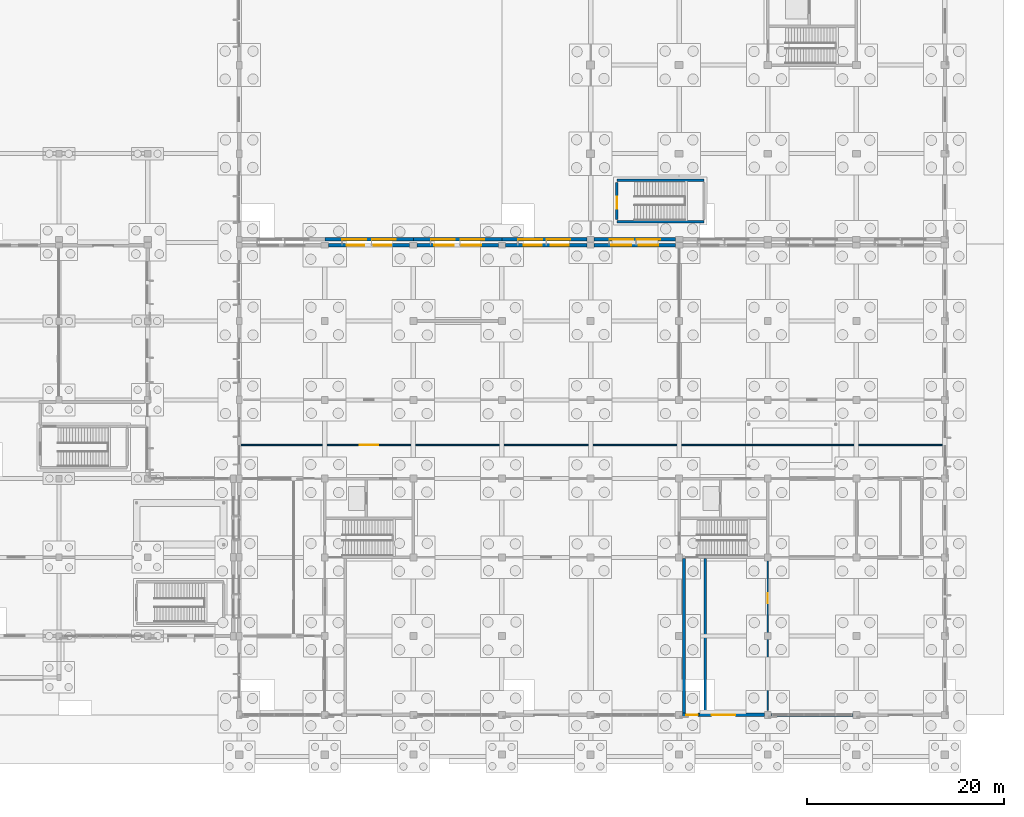
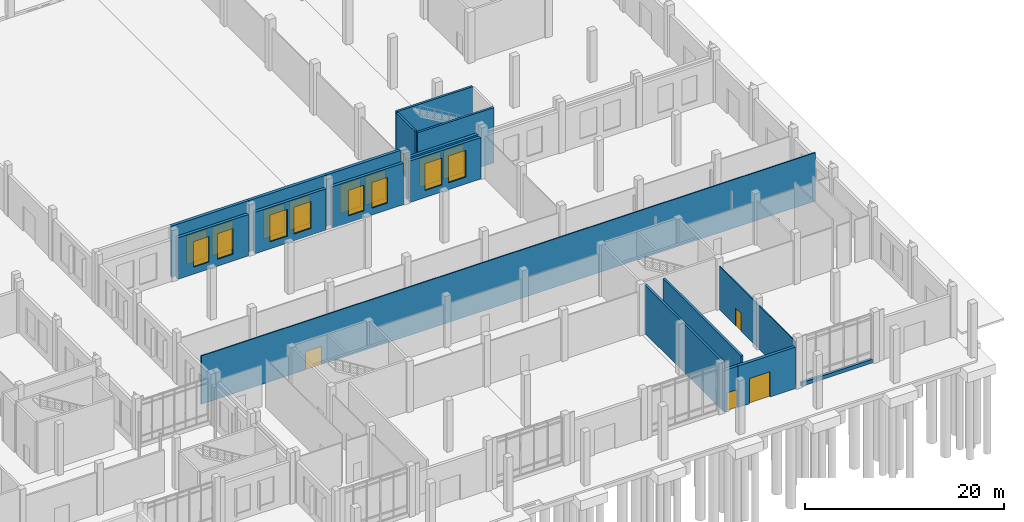
# One storey, part 67 of 99: 18 walls, 16 windows, 5 doors, 21 openings.
"""IFC4 building model written with IfcOpenShell, lengths in metres."""

import ifcopenshell
import ifcopenshell.guid

model = None  # the IFC model being written
_history = None  # IfcOwnerHistory: only IFC2X3 demands one
_inside = {}  # id of a spatial element -> (the spatial element, [elements in it])
_under = {}  # id of a project, library or spatial element -> (it, [spatial elements below it])
_declared = {}  # id of a project -> (the project, [libraries it declares])
_typed = {}  # id of a type object -> (the type object, [elements of that type])
_made_of = {}  # id of a material, layer set ... -> (it, [elements and type objects made of it])


def new_model(schema):
    """Start an empty IFC model of exactly this schema.

    Asked for "IFC4X3", IfcOpenShell would pick the latest addendum, in which some entities
    have other attributes; the version numbers below select the first issue.
    IFC2X3 requires an IfcOwnerHistory on every rooted entity: one is made here for all.
    """
    global model, _history
    if schema == "IFC4X3":
        model = ifcopenshell.file(schema_version=(4, 3, 0, 0))
    else:
        model = ifcopenshell.file(schema=schema)
    _inside.clear()
    _under.clear()
    _declared.clear()
    _typed.clear()
    _made_of.clear()
    _history = None
    if model.schema == "IFC2X3":
        org = make("IfcOrganization", Name="unknown")
        user = make(
            "IfcPersonAndOrganization",
            ThePerson=make("IfcPerson", FamilyName="unknown"),
            TheOrganization=org,
        )
        app = make(
            "IfcApplication",
            ApplicationDeveloper=org,
            Version="unknown",
            ApplicationFullName="unknown",
            ApplicationIdentifier="unknown",
        )
        _history = make(
            "IfcOwnerHistory",
            OwningUser=user,
            OwningApplication=app,
            ChangeAction="ADDED",
            CreationDate=0,
        )
    return model


def make(cls, **values):
    """One entity of the class cls with the attributes given. An attribute that is None is left unset."""
    return model.create_entity(
        cls, **{name: value for name, value in values.items() if value is not None}
    )


def rooted(cls, **values):
    """An entity with a GlobalId (a new one), such as an element, a storey or a relation."""
    return make(cls, GlobalId=ifcopenshell.guid.new(), OwnerHistory=_history, **values)


def si_unit(unit_type, name, prefix=None):
    """IfcSIUnit, for example si_unit("LENGTHUNIT", "METRE", prefix="MILLI")."""
    return make("IfcSIUnit", UnitType=unit_type, Prefix=prefix, Name=name)


def assignment(units):
    """IfcUnitAssignment: the units of a project."""
    return None if units is None else make("IfcUnitAssignment", Units=units)


def point(xyz):
    """IfcCartesianPoint."""
    return None if xyz is None else make("IfcCartesianPoint", Coordinates=xyz)


def direction(xyz):
    """IfcDirection."""
    return None if xyz is None else make("IfcDirection", DirectionRatios=xyz)


def frame(location, z_axis=None, x_axis=None):
    """IfcAxis2Placement3D, a coordinate frame: its origin and axes. An axis left out is left unset."""
    return make(
        "IfcAxis2Placement3D",
        Location=point(location),
        Axis=direction(z_axis),
        RefDirection=direction(x_axis),
    )


def frame_2d(location, x_axis=None):
    """IfcAxis2Placement2D, a coordinate frame in the plane: its origin and x axis."""
    return make(
        "IfcAxis2Placement2D", Location=point(location), RefDirection=direction(x_axis)
    )


def origin():
    """The frame at (0, 0, 0) with its axes left unset."""
    return frame((0.0, 0.0, 0.0))


def place(relative_to, where):
    """IfcLocalPlacement: puts the frame where relative to a parent placement (None: the world)."""
    return make(
        "IfcLocalPlacement", PlacementRelTo=relative_to, RelativePlacement=where
    )


def context(
    kind, dimensions, precision=None, world=None, true_north=None, identifier=None
):
    """IfcGeometricRepresentationContext, for example the 3D "Model" context."""
    return make(
        "IfcGeometricRepresentationContext",
        ContextIdentifier=identifier,
        ContextType=kind,
        CoordinateSpaceDimension=dimensions,
        Precision=precision,
        WorldCoordinateSystem=world,
        TrueNorth=true_north,
    )


def subcontext(parent, identifier, kind, view, scale=None):
    """IfcGeometricRepresentationSubContext, for example "Body" below "Model"."""
    return make(
        "IfcGeometricRepresentationSubContext",
        ContextIdentifier=identifier,
        ContextType=kind,
        ParentContext=parent,
        TargetScale=scale,
        TargetView=view,
    )


def project(units=None, contexts=None):
    """IfcProject with its units and contexts."""
    return rooted(
        "IfcProject",
        Name="project",
        RepresentationContexts=contexts,
        UnitsInContext=assignment(units),
    )


def spatial(cls, under=None, at=None, **own):
    """A site, building, storey or space (cls), placed at a placement, below another one or the project."""
    s = rooted(cls, ObjectPlacement=at, **own)
    if under is not None:
        _under.setdefault(under.id(), (under, []))[1].append(s)
    return s


def profile(cls, at=None, kind="AREA", **sizes):
    """A parametric profile (cls). Its sizes go by their IFC names, for example OverallWidth=200.0."""
    return make(cls, ProfileType=kind, Position=at, **sizes)


def rectangle(**sizes):
    """IfcRectangleProfileDef."""
    return profile("IfcRectangleProfileDef", **sizes)


def extrude(swept, where, along, depth):
    """IfcExtrudedAreaSolid: the profile swept, set in the frame where, extruded along a direction by depth."""
    return make(
        "IfcExtrudedAreaSolid",
        SweptArea=swept,
        Position=where,
        ExtrudedDirection=direction(along),
        Depth=depth,
    )


def shape(context_of_items, identifier, shape_type, items):
    """IfcShapeRepresentation: the items that make up one representation, for example the "Body"."""
    return make(
        "IfcShapeRepresentation",
        ContextOfItems=context_of_items,
        RepresentationIdentifier=identifier,
        RepresentationType=shape_type,
        Items=items,
    )


def material(Name=None, Category=None):
    """IfcMaterial."""
    return make("IfcMaterial", Name=Name, Category=Category)


def layer(
    of_material, thickness, ventilated=None, Name=None, Category=None, Priority=None
):
    """IfcMaterialLayer: one layer of a wall or slab, of a material (None: an air gap)."""
    return make(
        "IfcMaterialLayer",
        Material=of_material,
        LayerThickness=thickness,
        IsVentilated=ventilated,
        Name=Name,
        Category=Category,
        Priority=Priority,
    )


def layer_set(layers, Name=None):
    """IfcMaterialLayerSet."""
    return make("IfcMaterialLayerSet", MaterialLayers=layers, LayerSetName=Name)


def made_of(thing, what):
    """Note that an element or type object is made of a material, layer set ...; save() writes the relation."""
    if what is not None:
        _made_of.setdefault(what.id(), (what, []))[1].append(thing)
    return thing


def type_object(cls, material=None, **own):
    """A type object (cls), such as IfcWallType, which elements share."""
    return made_of(rooted(cls, **own), material)


def element(
    cls,
    number,
    at=None,
    inside=None,
    cuts=None,
    type_object=None,
    material=None,
    context=None,
    identifier="Body",
    shape_type=None,
    held_by="IfcProductDefinitionShape",
    body=None,
    shapes=None,
    **own,
):
    """One element of the class cls, such as IfcWall. Its Tag is "e" and its number.

    at: its placement. inside: the storey or other place that contains it. cuts: it is an
    opening in that element (IfcRelVoidsElement). A single representation is given by context,
    identifier, shape_type and body (its items); several are given by shapes. held_by: the class
    of the entity that holds the representations. save() writes the other relations.
    """
    e = rooted(cls, Tag="e%d" % number, ObjectPlacement=at, **own)
    if body is not None:
        shapes = [shape(context, identifier, shape_type, body)]
    if shapes is not None:
        e.Representation = make(held_by, Representations=shapes)
    if inside is not None:
        _inside.setdefault(inside.id(), (inside, []))[1].append(e)
    if cuts is not None:
        rooted(
            "IfcRelVoidsElement", RelatingBuildingElement=cuts, RelatedOpeningElement=e
        )
    if type_object is not None:
        _typed.setdefault(type_object.id(), (type_object, []))[1].append(e)
    return made_of(e, material)


def fill(opening, filler):
    """IfcRelFillsElement: the door or window that sits in an opening."""
    return rooted(
        "IfcRelFillsElement",
        RelatingOpeningElement=opening,
        RelatedBuildingElement=filler,
    )


def aggregate(whole, parts):
    """IfcRelAggregates: a whole, such as a stair, and the parts it consists of."""
    return rooted("IfcRelAggregates", RelatingObject=whole, RelatedObjects=parts)


def save(model, path):
    """Write the relations noted so far, then the file.

    IfcRelAggregates (storeys below a building ...), IfcRelContainedInSpatialStructure (elements
    in a storey), IfcRelDefinesByType, IfcRelAssociatesMaterial and IfcRelDeclares: one each for
    every whole, place, type object, material and project.
    """
    for whole, parts in _under.values():
        aggregate(whole, parts)
    for where, things in _inside.values():
        rooted(
            "IfcRelContainedInSpatialStructure",
            RelatedElements=things,
            RelatingStructure=where,
        )
    for kind, things in _typed.values():
        rooted("IfcRelDefinesByType", RelatedObjects=things, RelatingType=kind)
    for what, things in _made_of.values():
        rooted("IfcRelAssociatesMaterial", RelatedObjects=things, RelatingMaterial=what)
    for by, libraries in _declared.values():
        rooted("IfcRelDeclares", RelatingContext=by, RelatedDefinitions=libraries)
    model.write(path)


model = new_model("IFC4")

# Units and contexts
model_context = context("Model", 3, precision=1e-05, world=origin(), true_north=direction((0.0, 1.0)))
body_context = subcontext(model_context, "Body", "Model", "MODEL_VIEW")
ifc_project = project(units=[si_unit("LENGTHUNIT", "METRE"), si_unit("AREAUNIT", "SQUARE_METRE"), si_unit("VOLUMEUNIT", "CUBIC_METRE"), si_unit("PLANEANGLEUNIT", "RADIAN"), si_unit("MASSUNIT", "GRAM", prefix="KILO")], contexts=[model_context])

# Site, building, storey
site_placement = place(None, origin())
site = spatial("IfcSite", under=ifc_project, at=site_placement, CompositionType="ELEMENT")
building_placement = place(site_placement, origin())
building = spatial("IfcBuilding", under=site, at=building_placement, Name="Zacnel Wholesale Market", CompositionType="ELEMENT")
storey_placement = place(building_placement, origin())
storey = spatial("IfcBuildingStorey", under=building, at=storey_placement, Name="L01", CompositionType="ELEMENT", Elevation=0.0)

# Walls
ifc_material_1 = material(Name="Concrete C40/50", Category="concrete")
ifc_layer_1 = layer(ifc_material_1, 0.2548828125)
ifc_layer_set_1 = layer_set([ifc_layer_1], Name="Concrete C40/50")
wall_type_1 = type_object("IfcWallType", Name="WL-COMP-FW250", PredefinedType="STANDARD", material=ifc_layer_set_1)
for number, where, z_axis, x_axis, name in (
    (1, (189.492431640625, 0.169921875, 0.0), (0.0, 0.0, 1.0), (0.0, 1.0, 0.0), "Exit passage C2 fire barrier wall 1"),
    (2, (191.6474609375, 0.169921875, 0.0), (0.0, 0.0, 1.0), (0.0, 1.0, 0.0), "Exit passage C2 fire barrier wall 2"),
):
    element("IfcWall", number, at=place(storey_placement, frame(where, z_axis=z_axis, x_axis=x_axis)), inside=storey, type_object=wall_type_1, Name=name, PredefinedType="STANDARD", context=body_context, shape_type="SweptSolid", body=[
        extrude(rectangle(XDim=15.705078125, YDim=0.2548828125, at=frame_2d((7.8525390625, 0.0))), origin(), (0.0, 0.0, 1.0), 5.949951171875),
    ])
ifc_material_2 = material(Name="Concrete C40/50", Category="concrete")
ifc_layer_2 = layer(ifc_material_2, 0.25)
ifc_layer_set_2 = layer_set([ifc_layer_2], Name="Concrete C40/50")
wall_type_2 = type_object("IfcWallType", Name="WL-CORE-SW250", PredefinedType="SOLIDWALL", material=ifc_layer_set_2)
for number, where, z_axis, x_axis, name in (
    (3, (182.675048828125, 50.074951171875, -0.5), (0.0, 0.0, 1.0), (1.0, 0.0, 0.0), "Stair ST-22 south enclosure wall L01"),
    (4, (182.675048828125, 54.324951171875, -0.5), (0.0, 0.0, 1.0), (1.0, 0.0, 0.0), "Stair ST-22 north enclosure wall L01"),
):
    element("IfcWall", number, at=place(storey_placement, frame(where, z_axis=z_axis, x_axis=x_axis)), inside=storey, type_object=wall_type_2, Name=name, PredefinedType="SOLIDWALL", context=body_context, shape_type="SweptSolid", body=[
        extrude(rectangle(XDim=8.849853515625, YDim=0.25, at=frame_2d((4.4248046875, 0.0))), origin(), (0.0, 0.0, 1.0), 6.800048828125),
    ])

# Wall, opening, door
wall_1_placement = place(storey_placement, frame((182.675048828125, 50.324951171875, -0.5), z_axis=(0.0, 0.0, 1.0), x_axis=(0.0, 1.0, 0.0)))
wall_1 = element("IfcWall", 5, at=wall_1_placement, inside=storey, type_object=wall_type_2, Name="Stair ST-22 west enclosure wall L01", PredefinedType="SOLIDWALL", context=body_context, shape_type="SweptSolid", body=[
    extrude(rectangle(XDim=3.75, YDim=0.25, at=frame_2d((1.875, 0.0))), origin(), (0.0, 0.0, 1.0), 6.800048828125),
])
opening_1_placement = place(wall_1_placement, frame((1.10009765625, 0.0, 0.5)))
opening_1 = element("IfcOpeningElement", 6, at=opening_1_placement, cuts=wall_1, Name="Opening FD-01", PredefinedType="OPENING", context=body_context, shape_type="SweptSolid", body=[
    extrude(rectangle(XDim=1.199951171875, YDim=2.199951171875, at=frame_2d((0.60009765625, 1.10009765625))), frame((0.0, 0.135009765625, 0.0), z_axis=(0.0, -1.0, 0.0), x_axis=(1.0, 0.0, 0.0)), (0.0, 0.0, 1.0), 0.27001953125),
])
ifc_material_3 = material(Name="Galvanized steel", Category="steel")
door_type_1 = type_object("IfcDoorType", Name="DR-FIRE-STAIR-1200", OperationType="NOTDEFINED", PredefinedType="DOOR", material=ifc_material_3)
door_1_placement = place(opening_1_placement, origin())
door_1 = element("IfcDoor", 7, at=door_1_placement, inside=storey, type_object=door_type_1, Name="Stair ST-22 fire door L01", OperationType="SINGLE_SWING_RIGHT", OverallHeight=2.199951171875, OverallWidth=1.199951171875, PredefinedType="DOOR", context=body_context, shape_type="SweptSolid", body=[
    extrude(rectangle(XDim=1.199951171875, YDim=2.199951171875, at=frame_2d((0.60009765625, 1.10009765625))), frame((0.0, 0.02490234375, 0.0), z_axis=(0.0, -1.0, 0.0), x_axis=(1.0, 0.0, 0.0)), (0.0, 0.0, 1.0), 0.050048828125),
])
fill(opening_1, door_1)

# Wall
ifc_material_4 = material(Name="Precast concrete C40/50 (Cancun limestone aggregate)", Category="masonry")
ifc_layer_3 = layer(ifc_material_4, 0.300048828125)
ifc_layer_set_3 = layer_set([ifc_layer_3], Name="Precast concrete C40/50 (Cancun limestone aggregate)")
wall_type_3 = type_object("IfcWallType", Name="WL-EXT-LIME-300", PredefinedType="SOLIDWALL", material=ifc_layer_set_3)
wall_2_placement = place(storey_placement, frame((198.35009765625, 0.0, 0.0), z_axis=(0.0, 0.0, 1.0), x_axis=(1.0, 0.0, 0.0)))
element("IfcWall", 8, at=wall_2_placement, inside=storey, type_object=wall_type_3, Name="Curtain-wall limestone plinth L01-0008", PredefinedType="SOLIDWALL", context=body_context, shape_type="SweptSolid", body=[
    extrude(rectangle(XDim=8.2998046875, YDim=0.300048828125, at=frame_2d((4.14990234375, 0.0))), origin(), (0.0, 0.0, 1.0), 0.449951171875),
])

# Wall, opening, door
ifc_material_5 = material(Name="Precast concrete C40/50 (Cancun limestone aggregate)", Category="masonry")
ifc_layer_4 = layer(ifc_material_5, 0.340087890625)
ifc_layer_set_4 = layer_set([ifc_layer_4], Name="Precast concrete C40/50 (Cancun limestone aggregate)")
wall_type_4 = type_object("IfcWallType", Name="WL-EXT-LIME-340", PredefinedType="SOLIDWALL", material=ifc_layer_set_4)
wall_3_placement = place(storey_placement, frame((191.0, 0.0, 0.0), z_axis=(0.0, 0.0, 1.0), x_axis=(-1.0, 0.0, 0.0)))
wall_3 = element("IfcWall", 9, at=wall_3_placement, inside=storey, type_object=wall_type_4, Name="Exterior wall L01-0102", PredefinedType="SOLIDWALL", context=body_context, shape_type="SweptSolid", body=[
    extrude(rectangle(XDim=1.64990234375, YDim=0.340087890625, at=frame_2d((0.824951171875, 0.0))), origin(), (0.0, 0.0, 1.0), 5.10009765625),
])
opening_2_placement = place(wall_3_placement, frame((0.10009765625, 0.0, 0.0)))
opening_2 = element("IfcOpeningElement", 10, at=opening_2_placement, cuts=wall_3, Name="Opening ED-04", PredefinedType="OPENING", context=body_context, shape_type="SweptSolid", body=[
    extrude(rectangle(XDim=1.199951171875, YDim=2.25, at=frame_2d((0.60009765625, 1.125))), frame((0.0, 0.179931640625, 0.0), z_axis=(0.0, -1.0, 0.0), x_axis=(1.0, 0.0, 0.0)), (0.0, 0.0, 1.0), 0.360107421875),
])
ifc_material_6 = material(Name="Galvanized steel S355", Category="steel")
door_type_2 = type_object("IfcDoorType", Name="DR-EXT-EXIT-1200", OperationType="NOTDEFINED", PredefinedType="DOOR", material=ifc_material_6)
door_2_placement = place(opening_2_placement, origin())
door_2 = element("IfcDoor", 11, at=door_2_placement, inside=storey, type_object=door_type_2, Name="Final exit door C2 to the south", OperationType="SINGLE_SWING_LEFT", OverallHeight=2.25, OverallWidth=1.199951171875, PredefinedType="DOOR", context=body_context, shape_type="SweptSolid", body=[
    extrude(rectangle(XDim=1.199951171875, YDim=2.25, at=frame_2d((0.60009765625, 1.125))), frame((0.0, 0.02490234375, 0.0), z_axis=(0.0, -1.0, 0.0), x_axis=(1.0, 0.0, 0.0)), (0.0, 0.0, 1.0), 0.050048828125),
])
fill(opening_2, door_2)

# Wall, openings, windows
wall_4_placement = place(storey_placement, frame((153.375, 47.699951171875, 0.0), z_axis=(0.0, 0.0, 1.0), x_axis=(1.0, 0.0, 0.0)))
wall_4 = element("IfcWall", 12, at=wall_4_placement, inside=storey, type_object=wall_type_4, Name="Exterior wall L01-0105", PredefinedType="SOLIDWALL", context=body_context, shape_type="SweptSolid", body=[
    extrude(rectangle(XDim=8.25, YDim=0.340087890625, at=frame_2d((4.125, 0.0))), origin(), (0.0, 0.0, 1.0), 5.10009765625),
])
opening_3_placement = place(wall_4_placement, frame((1.85009765625, 0.0, 0.85009765625)))
opening_3 = element("IfcOpeningElement", 13, at=opening_3_placement, cuts=wall_4, Name="Opening W-03", PredefinedType="OPENING", context=body_context, shape_type="SweptSolid", body=[
    extrude(rectangle(XDim=1.800048828125, YDim=3.14990234375, at=frame_2d((0.89990234375, 1.574951171875))), frame((0.0, 0.179931640625, 0.0), z_axis=(0.0, -1.0, 0.0), x_axis=(1.0, 0.0, 0.0)), (0.0, 0.0, 1.0), 0.360107421875),
])
opening_4_placement = place(wall_4_placement, frame((4.60009765625, 0.0, 0.85009765625)))
opening_4 = element("IfcOpeningElement", 14, at=opening_4_placement, cuts=wall_4, Name="Opening W-03", PredefinedType="OPENING", context=body_context, shape_type="SweptSolid", body=[
    extrude(rectangle(XDim=1.800048828125, YDim=3.14990234375, at=frame_2d((0.89990234375, 1.574951171875))), frame((0.0, 0.179931640625, 0.0), z_axis=(0.0, -1.0, 0.0), x_axis=(1.0, 0.0, 0.0)), (0.0, 0.0, 1.0), 0.360107421875),
])
ifc_material_7 = material(Name="Laminated hurricane-impact low-E insulated glass", Category="glass")
window_type_1 = type_object("IfcWindowType", Name="WIN-DEC-1800X3150", PartitioningType="DOUBLE_PANEL_VERTICAL", PredefinedType="WINDOW", material=ifc_material_7)
window_1_placement = place(opening_3_placement, origin())
window_1 = element("IfcWindow", 15, at=window_1_placement, inside=storey, type_object=window_type_1, Name="Window L01-0092", OverallHeight=3.14990234375, OverallWidth=1.800048828125, PartitioningType="DOUBLE_PANEL_VERTICAL", PredefinedType="WINDOW", context=body_context, shape_type="SweptSolid", body=[
    extrude(rectangle(XDim=1.800048828125, YDim=3.14990234375, at=frame_2d((0.89990234375, 1.574951171875))), frame((0.0, 0.030029296875, 0.0), z_axis=(0.0, -1.0, 0.0), x_axis=(1.0, 0.0, 0.0)), (0.0, 0.0, 1.0), 0.06005859375),
])
fill(opening_3, window_1)
window_2_placement = place(opening_4_placement, origin())
window_2 = element("IfcWindow", 16, at=window_2_placement, inside=storey, type_object=window_type_1, Name="Window L01-0093", OverallHeight=3.14990234375, OverallWidth=1.800048828125, PartitioningType="DOUBLE_PANEL_VERTICAL", PredefinedType="WINDOW", context=body_context, shape_type="SweptSolid", body=[
    extrude(rectangle(XDim=1.800048828125, YDim=3.14990234375, at=frame_2d((0.89990234375, 1.574951171875))), frame((0.0, 0.030029296875, 0.0), z_axis=(0.0, -1.0, 0.0), x_axis=(1.0, 0.0, 0.0)), (0.0, 0.0, 1.0), 0.06005859375),
])
fill(opening_4, window_2)

wall_5_placement = place(storey_placement, frame((162.375, 47.699951171875, 0.0), z_axis=(0.0, 0.0, 1.0), x_axis=(1.0, 0.0, 0.0)))
wall_5 = element("IfcWall", 17, at=wall_5_placement, inside=storey, type_object=wall_type_4, Name="Exterior wall L01-0106", PredefinedType="SOLIDWALL", context=body_context, shape_type="SweptSolid", body=[
    extrude(rectangle(XDim=8.25, YDim=0.340087890625, at=frame_2d((4.125, 0.0))), origin(), (0.0, 0.0, 1.0), 5.10009765625),
])
opening_5_placement = place(wall_5_placement, frame((1.75, 0.0, 0.85009765625)))
opening_5 = element("IfcOpeningElement", 18, at=opening_5_placement, cuts=wall_5, Name="Opening W-02", PredefinedType="OPENING", context=body_context, shape_type="SweptSolid", body=[
    extrude(rectangle(XDim=2.0, YDim=3.300048828125, at=frame_2d((1.0, 1.64990234375))), frame((0.0, 0.179931640625, 0.0), z_axis=(0.0, -1.0, 0.0), x_axis=(1.0, 0.0, 0.0)), (0.0, 0.0, 1.0), 0.360107421875),
])
opening_6_placement = place(wall_5_placement, frame((4.5, 0.0, 0.85009765625)))
opening_6 = element("IfcOpeningElement", 19, at=opening_6_placement, cuts=wall_5, Name="Opening W-02", PredefinedType="OPENING", context=body_context, shape_type="SweptSolid", body=[
    extrude(rectangle(XDim=2.0, YDim=3.300048828125, at=frame_2d((1.0, 1.64990234375))), frame((0.0, 0.179931640625, 0.0), z_axis=(0.0, -1.0, 0.0), x_axis=(1.0, 0.0, 0.0)), (0.0, 0.0, 1.0), 0.360107421875),
])
ifc_material_8 = material(Name="Laminated hurricane-impact low-E insulated glass", Category="glass")
window_type_2 = type_object("IfcWindowType", Name="WIN-DEC-2000X3300", PartitioningType="DOUBLE_PANEL_VERTICAL", PredefinedType="WINDOW", material=ifc_material_8)
window_3_placement = place(opening_5_placement, origin())
window_3 = element("IfcWindow", 20, at=window_3_placement, inside=storey, type_object=window_type_2, Name="Window L01-0094", OverallHeight=3.300048828125, OverallWidth=2.0, PartitioningType="DOUBLE_PANEL_VERTICAL", PredefinedType="WINDOW", context=body_context, shape_type="SweptSolid", body=[
    extrude(rectangle(XDim=2.0, YDim=3.300048828125, at=frame_2d((1.0, 1.64990234375))), frame((0.0, 0.030029296875, 0.0), z_axis=(0.0, -1.0, 0.0), x_axis=(1.0, 0.0, 0.0)), (0.0, 0.0, 1.0), 0.06005859375),
])
fill(opening_5, window_3)
window_4_placement = place(opening_6_placement, origin())
window_4 = element("IfcWindow", 21, at=window_4_placement, inside=storey, type_object=window_type_2, Name="Window L01-0095", OverallHeight=3.300048828125, OverallWidth=2.0, PartitioningType="DOUBLE_PANEL_VERTICAL", PredefinedType="WINDOW", context=body_context, shape_type="SweptSolid", body=[
    extrude(rectangle(XDim=2.0, YDim=3.300048828125, at=frame_2d((1.0, 1.64990234375))), frame((0.0, 0.030029296875, 0.0), z_axis=(0.0, -1.0, 0.0), x_axis=(1.0, 0.0, 0.0)), (0.0, 0.0, 1.0), 0.06005859375),
])
fill(opening_6, window_4)

wall_6_placement = place(storey_placement, frame((171.375, 47.699951171875, 0.0), z_axis=(0.0, 0.0, 1.0), x_axis=(1.0, 0.0, 0.0)))
wall_6 = element("IfcWall", 22, at=wall_6_placement, inside=storey, type_object=wall_type_4, Name="Exterior wall L01-0107", PredefinedType="SOLIDWALL", context=body_context, shape_type="SweptSolid", body=[
    extrude(rectangle(XDim=8.25, YDim=0.340087890625, at=frame_2d((4.125, 0.0))), origin(), (0.0, 0.0, 1.0), 5.10009765625),
])
opening_7_placement = place(wall_6_placement, frame((1.85009765625, 0.0, 0.85009765625)))
opening_7 = element("IfcOpeningElement", 23, at=opening_7_placement, cuts=wall_6, Name="Opening W-03", PredefinedType="OPENING", context=body_context, shape_type="SweptSolid", body=[
    extrude(rectangle(XDim=1.800048828125, YDim=3.14990234375, at=frame_2d((0.89990234375, 1.574951171875))), frame((0.0, 0.179931640625, 0.0), z_axis=(0.0, -1.0, 0.0), x_axis=(1.0, 0.0, 0.0)), (0.0, 0.0, 1.0), 0.360107421875),
])
opening_8_placement = place(wall_6_placement, frame((4.60009765625, 0.0, 0.85009765625)))
opening_8 = element("IfcOpeningElement", 24, at=opening_8_placement, cuts=wall_6, Name="Opening W-03", PredefinedType="OPENING", context=body_context, shape_type="SweptSolid", body=[
    extrude(rectangle(XDim=1.800048828125, YDim=3.14990234375, at=frame_2d((0.89990234375, 1.574951171875))), frame((0.0, 0.179931640625, 0.0), z_axis=(0.0, -1.0, 0.0), x_axis=(1.0, 0.0, 0.0)), (0.0, 0.0, 1.0), 0.360107421875),
])
window_5_placement = place(opening_7_placement, origin())
window_5 = element("IfcWindow", 25, at=window_5_placement, inside=storey, type_object=window_type_1, Name="Window L01-0096", OverallHeight=3.14990234375, OverallWidth=1.800048828125, PartitioningType="DOUBLE_PANEL_VERTICAL", PredefinedType="WINDOW", context=body_context, shape_type="SweptSolid", body=[
    extrude(rectangle(XDim=1.800048828125, YDim=3.14990234375, at=frame_2d((0.89990234375, 1.574951171875))), frame((0.0, 0.030029296875, 0.0), z_axis=(0.0, -1.0, 0.0), x_axis=(1.0, 0.0, 0.0)), (0.0, 0.0, 1.0), 0.06005859375),
])
fill(opening_7, window_5)
window_6_placement = place(opening_8_placement, origin())
window_6 = element("IfcWindow", 26, at=window_6_placement, inside=storey, type_object=window_type_1, Name="Window L01-0097", OverallHeight=3.14990234375, OverallWidth=1.800048828125, PartitioningType="DOUBLE_PANEL_VERTICAL", PredefinedType="WINDOW", context=body_context, shape_type="SweptSolid", body=[
    extrude(rectangle(XDim=1.800048828125, YDim=3.14990234375, at=frame_2d((0.89990234375, 1.574951171875))), frame((0.0, 0.030029296875, 0.0), z_axis=(0.0, -1.0, 0.0), x_axis=(1.0, 0.0, 0.0)), (0.0, 0.0, 1.0), 0.06005859375),
])
fill(opening_8, window_6)

wall_7_placement = place(storey_placement, frame((180.375, 47.699951171875, 0.0), z_axis=(0.0, 0.0, 1.0), x_axis=(1.0, 0.0, 0.0)))
wall_7 = element("IfcWall", 27, at=wall_7_placement, inside=storey, type_object=wall_type_4, Name="Exterior wall L01-0108", PredefinedType="SOLIDWALL", context=body_context, shape_type="SweptSolid", body=[
    extrude(rectangle(XDim=8.25, YDim=0.340087890625, at=frame_2d((4.125, 0.0))), origin(), (0.0, 0.0, 1.0), 5.10009765625),
])
opening_9_placement = place(wall_7_placement, frame((1.75, 0.0, 0.85009765625)))
opening_9 = element("IfcOpeningElement", 28, at=opening_9_placement, cuts=wall_7, Name="Opening W-02", PredefinedType="OPENING", context=body_context, shape_type="SweptSolid", body=[
    extrude(rectangle(XDim=2.0, YDim=3.300048828125, at=frame_2d((1.0, 1.64990234375))), frame((0.0, 0.179931640625, 0.0), z_axis=(0.0, -1.0, 0.0), x_axis=(1.0, 0.0, 0.0)), (0.0, 0.0, 1.0), 0.360107421875),
])
opening_10_placement = place(wall_7_placement, frame((4.5, 0.0, 0.85009765625)))
opening_10 = element("IfcOpeningElement", 29, at=opening_10_placement, cuts=wall_7, Name="Opening W-02", PredefinedType="OPENING", context=body_context, shape_type="SweptSolid", body=[
    extrude(rectangle(XDim=2.0, YDim=3.300048828125, at=frame_2d((1.0, 1.64990234375))), frame((0.0, 0.179931640625, 0.0), z_axis=(0.0, -1.0, 0.0), x_axis=(1.0, 0.0, 0.0)), (0.0, 0.0, 1.0), 0.360107421875),
])
window_7_placement = place(opening_9_placement, origin())
window_7 = element("IfcWindow", 30, at=window_7_placement, inside=storey, type_object=window_type_2, Name="Window L01-0098", OverallHeight=3.300048828125, OverallWidth=2.0, PartitioningType="DOUBLE_PANEL_VERTICAL", PredefinedType="WINDOW", context=body_context, shape_type="SweptSolid", body=[
    extrude(rectangle(XDim=2.0, YDim=3.300048828125, at=frame_2d((1.0, 1.64990234375))), frame((0.0, 0.030029296875, 0.0), z_axis=(0.0, -1.0, 0.0), x_axis=(1.0, 0.0, 0.0)), (0.0, 0.0, 1.0), 0.06005859375),
])
fill(opening_9, window_7)
window_8_placement = place(opening_10_placement, origin())
window_8 = element("IfcWindow", 31, at=window_8_placement, inside=storey, type_object=window_type_2, Name="Window L01-0099", OverallHeight=3.300048828125, OverallWidth=2.0, PartitioningType="DOUBLE_PANEL_VERTICAL", PredefinedType="WINDOW", context=body_context, shape_type="SweptSolid", body=[
    extrude(rectangle(XDim=2.0, YDim=3.300048828125, at=frame_2d((1.0, 1.64990234375))), frame((0.0, 0.030029296875, 0.0), z_axis=(0.0, -1.0, 0.0), x_axis=(1.0, 0.0, 0.0)), (0.0, 0.0, 1.0), 0.06005859375),
])
fill(opening_10, window_8)

wall_8_placement = place(storey_placement, frame((153.0, 48.300048828125, 0.0), z_axis=(0.0, 0.0, 1.0), x_axis=(1.0, 0.0, 0.0)))
wall_8 = element("IfcWall", 32, at=wall_8_placement, inside=storey, type_object=wall_type_4, Name="Exterior wall L01-0155", PredefinedType="SOLIDWALL", context=body_context, shape_type="SweptSolid", body=[
    extrude(rectangle(XDim=9.0, YDim=0.340087890625, at=frame_2d((4.5, 0.0))), origin(), (0.0, 0.0, 1.0), 6.300048828125),
])
opening_11_placement = place(wall_8_placement, frame((1.800048828125, 0.0, 0.89990234375)))
opening_11 = element("IfcOpeningElement", 33, at=opening_11_placement, cuts=wall_8, Name="Opening W-01", PredefinedType="OPENING", context=body_context, shape_type="SweptSolid", body=[
    extrude(rectangle(XDim=2.39990234375, YDim=3.5, at=frame_2d((1.199951171875, 1.75))), frame((0.0, 0.179931640625, 0.0), z_axis=(0.0, -1.0, 0.0), x_axis=(1.0, 0.0, 0.0)), (0.0, 0.0, 1.0), 0.360107421875),
])
opening_12_placement = place(wall_8_placement, frame((4.800048828125, 0.0, 0.89990234375)))
opening_12 = element("IfcOpeningElement", 34, at=opening_12_placement, cuts=wall_8, Name="Opening W-01", PredefinedType="OPENING", context=body_context, shape_type="SweptSolid", body=[
    extrude(rectangle(XDim=2.39990234375, YDim=3.5, at=frame_2d((1.199951171875, 1.75))), frame((0.0, 0.179931640625, 0.0), z_axis=(0.0, -1.0, 0.0), x_axis=(1.0, 0.0, 0.0)), (0.0, 0.0, 1.0), 0.360107421875),
])
ifc_material_9 = material(Name="Laminated hurricane-impact low-E insulated glass", Category="glass")
window_type_3 = type_object("IfcWindowType", Name="WIN-DEC-2400X3500", PartitioningType="TRIPLE_PANEL_VERTICAL", PredefinedType="WINDOW", material=ifc_material_9)
window_9_placement = place(opening_11_placement, origin())
window_9 = element("IfcWindow", 35, at=window_9_placement, inside=storey, type_object=window_type_3, Name="Window L01-0164", OverallHeight=3.5, OverallWidth=2.39990234375, PartitioningType="TRIPLE_PANEL_VERTICAL", PredefinedType="WINDOW", context=body_context, shape_type="SweptSolid", body=[
    extrude(rectangle(XDim=2.39990234375, YDim=3.5, at=frame_2d((1.199951171875, 1.75))), frame((0.0, 0.030029296875, 0.0), z_axis=(0.0, -1.0, 0.0), x_axis=(1.0, 0.0, 0.0)), (0.0, 0.0, 1.0), 0.06005859375),
])
fill(opening_11, window_9)
window_10_placement = place(opening_12_placement, origin())
window_10 = element("IfcWindow", 36, at=window_10_placement, inside=storey, type_object=window_type_3, Name="Window L01-0165", OverallHeight=3.5, OverallWidth=2.39990234375, PartitioningType="TRIPLE_PANEL_VERTICAL", PredefinedType="WINDOW", context=body_context, shape_type="SweptSolid", body=[
    extrude(rectangle(XDim=2.39990234375, YDim=3.5, at=frame_2d((1.199951171875, 1.75))), frame((0.0, 0.030029296875, 0.0), z_axis=(0.0, -1.0, 0.0), x_axis=(1.0, 0.0, 0.0)), (0.0, 0.0, 1.0), 0.06005859375),
])
fill(opening_12, window_10)

wall_9_placement = place(storey_placement, frame((162.0, 48.300048828125, 0.0), z_axis=(0.0, 0.0, 1.0), x_axis=(1.0, 0.0, 0.0)))
wall_9 = element("IfcWall", 37, at=wall_9_placement, inside=storey, type_object=wall_type_4, Name="Exterior wall L01-0156", PredefinedType="SOLIDWALL", context=body_context, shape_type="SweptSolid", body=[
    extrude(rectangle(XDim=9.0, YDim=0.340087890625, at=frame_2d((4.5, 0.0))), origin(), (0.0, 0.0, 1.0), 6.300048828125),
])
opening_13_placement = place(wall_9_placement, frame((1.800048828125, 0.0, 0.89990234375)))
opening_13 = element("IfcOpeningElement", 38, at=opening_13_placement, cuts=wall_9, Name="Opening W-01", PredefinedType="OPENING", context=body_context, shape_type="SweptSolid", body=[
    extrude(rectangle(XDim=2.39990234375, YDim=3.5, at=frame_2d((1.199951171875, 1.75))), frame((0.0, 0.179931640625, 0.0), z_axis=(0.0, -1.0, 0.0), x_axis=(1.0, 0.0, 0.0)), (0.0, 0.0, 1.0), 0.360107421875),
])
opening_14_placement = place(wall_9_placement, frame((4.800048828125, 0.0, 0.89990234375)))
opening_14 = element("IfcOpeningElement", 39, at=opening_14_placement, cuts=wall_9, Name="Opening W-01", PredefinedType="OPENING", context=body_context, shape_type="SweptSolid", body=[
    extrude(rectangle(XDim=2.39990234375, YDim=3.5, at=frame_2d((1.199951171875, 1.75))), frame((0.0, 0.179931640625, 0.0), z_axis=(0.0, -1.0, 0.0), x_axis=(1.0, 0.0, 0.0)), (0.0, 0.0, 1.0), 0.360107421875),
])
window_11_placement = place(opening_13_placement, origin())
window_11 = element("IfcWindow", 40, at=window_11_placement, inside=storey, type_object=window_type_3, Name="Window L01-0166", OverallHeight=3.5, OverallWidth=2.39990234375, PartitioningType="TRIPLE_PANEL_VERTICAL", PredefinedType="WINDOW", context=body_context, shape_type="SweptSolid", body=[
    extrude(rectangle(XDim=2.39990234375, YDim=3.5, at=frame_2d((1.199951171875, 1.75))), frame((0.0, 0.030029296875, 0.0), z_axis=(0.0, -1.0, 0.0), x_axis=(1.0, 0.0, 0.0)), (0.0, 0.0, 1.0), 0.06005859375),
])
fill(opening_13, window_11)
window_12_placement = place(opening_14_placement, origin())
window_12 = element("IfcWindow", 41, at=window_12_placement, inside=storey, type_object=window_type_3, Name="Window L01-0167", OverallHeight=3.5, OverallWidth=2.39990234375, PartitioningType="TRIPLE_PANEL_VERTICAL", PredefinedType="WINDOW", context=body_context, shape_type="SweptSolid", body=[
    extrude(rectangle(XDim=2.39990234375, YDim=3.5, at=frame_2d((1.199951171875, 1.75))), frame((0.0, 0.030029296875, 0.0), z_axis=(0.0, -1.0, 0.0), x_axis=(1.0, 0.0, 0.0)), (0.0, 0.0, 1.0), 0.06005859375),
])
fill(opening_14, window_12)

wall_10_placement = place(storey_placement, frame((171.0, 48.300048828125, 0.0), z_axis=(0.0, 0.0, 1.0), x_axis=(1.0, 0.0, 0.0)))
wall_10 = element("IfcWall", 42, at=wall_10_placement, inside=storey, type_object=wall_type_4, Name="Exterior wall L01-0157", PredefinedType="SOLIDWALL", context=body_context, shape_type="SweptSolid", body=[
    extrude(rectangle(XDim=8.625, YDim=0.340087890625, at=frame_2d((4.3125, 0.0))), origin(), (0.0, 0.0, 1.0), 6.300048828125),
])
opening_15_placement = place(wall_10_placement, frame((1.675048828125, 0.0, 0.89990234375)))
opening_15 = element("IfcOpeningElement", 43, at=opening_15_placement, cuts=wall_10, Name="Opening W-01", PredefinedType="OPENING", context=body_context, shape_type="SweptSolid", body=[
    extrude(rectangle(XDim=2.39990234375, YDim=3.5, at=frame_2d((1.199951171875, 1.75))), frame((0.0, 0.179931640625, 0.0), z_axis=(0.0, -1.0, 0.0), x_axis=(1.0, 0.0, 0.0)), (0.0, 0.0, 1.0), 0.360107421875),
])
opening_16_placement = place(wall_10_placement, frame((4.550048828125, 0.0, 0.89990234375)))
opening_16 = element("IfcOpeningElement", 44, at=opening_16_placement, cuts=wall_10, Name="Opening W-01", PredefinedType="OPENING", context=body_context, shape_type="SweptSolid", body=[
    extrude(rectangle(XDim=2.39990234375, YDim=3.5, at=frame_2d((1.199951171875, 1.75))), frame((0.0, 0.179931640625, 0.0), z_axis=(0.0, -1.0, 0.0), x_axis=(1.0, 0.0, 0.0)), (0.0, 0.0, 1.0), 0.360107421875),
])
window_13_placement = place(opening_15_placement, origin())
window_13 = element("IfcWindow", 45, at=window_13_placement, inside=storey, type_object=window_type_3, Name="Window L01-0168", OverallHeight=3.5, OverallWidth=2.39990234375, PartitioningType="TRIPLE_PANEL_VERTICAL", PredefinedType="WINDOW", context=body_context, shape_type="SweptSolid", body=[
    extrude(rectangle(XDim=2.39990234375, YDim=3.5, at=frame_2d((1.199951171875, 1.75))), frame((0.0, 0.030029296875, 0.0), z_axis=(0.0, -1.0, 0.0), x_axis=(1.0, 0.0, 0.0)), (0.0, 0.0, 1.0), 0.06005859375),
])
fill(opening_15, window_13)
window_14_placement = place(opening_16_placement, origin())
window_14 = element("IfcWindow", 46, at=window_14_placement, inside=storey, type_object=window_type_3, Name="Window L01-0169", OverallHeight=3.5, OverallWidth=2.39990234375, PartitioningType="TRIPLE_PANEL_VERTICAL", PredefinedType="WINDOW", context=body_context, shape_type="SweptSolid", body=[
    extrude(rectangle(XDim=2.39990234375, YDim=3.5, at=frame_2d((1.199951171875, 1.75))), frame((0.0, 0.030029296875, 0.0), z_axis=(0.0, -1.0, 0.0), x_axis=(1.0, 0.0, 0.0)), (0.0, 0.0, 1.0), 0.06005859375),
])
fill(opening_16, window_14)

wall_11_placement = place(storey_placement, frame((180.375, 48.300048828125, 0.0), z_axis=(0.0, 0.0, 1.0), x_axis=(1.0, 0.0, 0.0)))
wall_11 = element("IfcWall", 47, at=wall_11_placement, inside=storey, type_object=wall_type_4, Name="Exterior wall L01-0158", PredefinedType="SOLIDWALL", context=body_context, shape_type="SweptSolid", body=[
    extrude(rectangle(XDim=8.25, YDim=0.340087890625, at=frame_2d((4.125, 0.0))), origin(), (0.0, 0.0, 1.0), 5.10009765625),
])
opening_17_placement = place(wall_11_placement, frame((1.550048828125, 0.0, 0.89990234375)))
opening_17 = element("IfcOpeningElement", 48, at=opening_17_placement, cuts=wall_11, Name="Opening W-01", PredefinedType="OPENING", context=body_context, shape_type="SweptSolid", body=[
    extrude(rectangle(XDim=2.39990234375, YDim=3.5, at=frame_2d((1.199951171875, 1.75))), frame((0.0, 0.179931640625, 0.0), z_axis=(0.0, -1.0, 0.0), x_axis=(1.0, 0.0, 0.0)), (0.0, 0.0, 1.0), 0.360107421875),
])
opening_18_placement = place(wall_11_placement, frame((4.300048828125, 0.0, 0.89990234375)))
opening_18 = element("IfcOpeningElement", 49, at=opening_18_placement, cuts=wall_11, Name="Opening W-01", PredefinedType="OPENING", context=body_context, shape_type="SweptSolid", body=[
    extrude(rectangle(XDim=2.39990234375, YDim=3.5, at=frame_2d((1.199951171875, 1.75))), frame((0.0, 0.179931640625, 0.0), z_axis=(0.0, -1.0, 0.0), x_axis=(1.0, 0.0, 0.0)), (0.0, 0.0, 1.0), 0.360107421875),
])
window_15_placement = place(opening_17_placement, origin())
window_15 = element("IfcWindow", 50, at=window_15_placement, inside=storey, type_object=window_type_3, Name="Window L01-0170", OverallHeight=3.5, OverallWidth=2.39990234375, PartitioningType="TRIPLE_PANEL_VERTICAL", PredefinedType="WINDOW", context=body_context, shape_type="SweptSolid", body=[
    extrude(rectangle(XDim=2.39990234375, YDim=3.5, at=frame_2d((1.199951171875, 1.75))), frame((0.0, 0.030029296875, 0.0), z_axis=(0.0, -1.0, 0.0), x_axis=(1.0, 0.0, 0.0)), (0.0, 0.0, 1.0), 0.06005859375),
])
fill(opening_17, window_15)
window_16_placement = place(opening_18_placement, origin())
window_16 = element("IfcWindow", 51, at=window_16_placement, inside=storey, type_object=window_type_3, Name="Window L01-0171", OverallHeight=3.5, OverallWidth=2.39990234375, PartitioningType="TRIPLE_PANEL_VERTICAL", PredefinedType="WINDOW", context=body_context, shape_type="SweptSolid", body=[
    extrude(rectangle(XDim=2.39990234375, YDim=3.5, at=frame_2d((1.199951171875, 1.75))), frame((0.0, 0.030029296875, 0.0), z_axis=(0.0, -1.0, 0.0), x_axis=(1.0, 0.0, 0.0)), (0.0, 0.0, 1.0), 0.06005859375),
])
fill(opening_18, window_16)

# Wall, opening, door
wall_12_placement = place(storey_placement, frame((191.0, 0.0, 0.0), z_axis=(0.0, 0.0, 1.0), x_axis=(1.0, 0.0, 0.0)))
wall_12 = element("IfcWall", 52, at=wall_12_placement, inside=storey, type_object=wall_type_4, Name="Exterior wall L01-0102 part 2", PredefinedType="SOLIDWALL", context=body_context, shape_type="SweptSolid", body=[
    extrude(rectangle(XDim=6.64990234375, YDim=0.340087890625, at=frame_2d((3.324951171875, 0.0))), origin(), (0.0, 0.0, 1.0), 5.10009765625),
])
opening_19_placement = place(wall_12_placement, frame((1.300048828125, 0.0, 0.0)))
opening_19 = element("IfcOpeningElement", 53, at=opening_19_placement, cuts=wall_12, Name="Opening ED-01", PredefinedType="OPENING", context=body_context, shape_type="SweptSolid", body=[
    extrude(rectangle(XDim=2.39990234375, YDim=3.10009765625, at=frame_2d((1.199951171875, 1.550048828125))), frame((0.0, 0.179931640625, 0.0), z_axis=(0.0, -1.0, 0.0), x_axis=(1.0, 0.0, 0.0)), (0.0, 0.0, 1.0), 0.360107421875),
])
ifc_material_10 = material(Name="Anodised aluminium", Category="aluminium")
door_type_3 = type_object("IfcDoorType", Name="DR-EXT-PORTAL-2400", OperationType="NOTDEFINED", PredefinedType="DOOR", material=ifc_material_10)
door_3_placement = place(opening_19_placement, origin())
door_3 = element("IfcDoor", 54, at=door_3_placement, inside=storey, type_object=door_type_3, Name="Boulevard entrance portal 028", OperationType="DOUBLE_DOOR_SINGLE_SWING", OverallHeight=3.10009765625, OverallWidth=2.39990234375, PredefinedType="DOOR", context=body_context, shape_type="SweptSolid", body=[
    extrude(rectangle(XDim=2.39990234375, YDim=3.10009765625, at=frame_2d((1.199951171875, 1.550048828125))), frame((0.0, 0.02490234375, 0.0), z_axis=(0.0, -1.0, 0.0), x_axis=(1.0, 0.0, 0.0)), (0.0, 0.0, 1.0), 0.050048828125),
])
fill(opening_19, door_3)

ifc_material_11 = material(Name="Moisture-resistant gypsum board partition")
ifc_layer_5 = layer(ifc_material_11, 0.110107421875)
ifc_layer_set_5 = layer_set([ifc_layer_5], Name="Moisture-resistant gypsum board partition")
wall_type_5 = type_object("IfcWallType", Name="WL-PART-GYP110", PredefinedType="PARTITIONING", material=ifc_layer_set_5)
wall_13_placement = place(storey_placement, frame((198.0, 0.449951171875, 0.0), z_axis=(0.0, 0.0, 1.0), x_axis=(0.0, 1.0, 0.0)))
wall_13 = element("IfcWall", 55, at=wall_13_placement, inside=storey, type_object=wall_type_5, Name="Interior partition L01-0035", PredefinedType="PARTITIONING", context=body_context, shape_type="SweptSolid", body=[
    extrude(rectangle(XDim=15.25, YDim=0.110107421875, at=frame_2d((7.625, 0.0))), origin(), (0.0, 0.0, 1.0), 5.35009765625),
])
opening_20_placement = place(wall_13_placement, frame((10.889892578125, 0.0, 0.0)))
opening_20 = element("IfcOpeningElement", 56, at=opening_20_placement, cuts=wall_13, Name="Opening ID-12", PredefinedType="OPENING", context=body_context, shape_type="SweptSolid", body=[
    extrude(rectangle(XDim=1.02001953125, YDim=2.179931640625, at=frame_2d((0.510009765625, 1.08984375))), frame((0.0, 0.06494140625, 0.0), z_axis=(0.0, -1.0, 0.0), x_axis=(1.0, 0.0, 0.0)), (0.0, 0.0, 1.0), 0.130126953125),
])
ifc_material_12 = material(Name="Solid-core tropical hardwood door", Category="wood")
door_type_4 = type_object("IfcDoorType", Name="DR-OFF-SGL-1020", OperationType="NOTDEFINED", PredefinedType="DOOR", material=ifc_material_12)
door_4_placement = place(opening_20_placement, origin())
door_4 = element("IfcDoor", 57, at=door_4_placement, inside=storey, type_object=door_type_4, Name="Interior door L01-0030", OperationType="SINGLE_SWING_LEFT", OverallHeight=2.179931640625, OverallWidth=1.02001953125, PredefinedType="DOOR", context=body_context, shape_type="SweptSolid", body=[
    extrude(rectangle(XDim=1.02001953125, YDim=2.179931640625, at=frame_2d((0.510009765625, 1.08984375))), frame((0.0, 0.02490234375, 0.0), z_axis=(0.0, -1.0, 0.0), x_axis=(1.0, 0.0, 0.0)), (0.0, 0.0, 1.0), 0.050048828125),
])
fill(opening_20, door_4)

ifc_material_13 = material(Name="Moisture-resistant gypsum board partition")
ifc_layer_6 = layer(ifc_material_13, 0.125)
ifc_layer_set_6 = layer_set([ifc_layer_6], Name="Moisture-resistant gypsum board partition")
wall_type_6 = type_object("IfcWallType", Name="WL-PART-GYP125", PredefinedType="PARTITIONING", material=ifc_layer_set_6)
wall_14_placement = place(storey_placement, frame((144.449951171875, 27.39990234375, 0.0), z_axis=(0.0, 0.0, 1.0), x_axis=(1.0, 0.0, 0.0)))
wall_14 = element("IfcWall", 58, at=wall_14_placement, inside=storey, type_object=wall_type_6, Name="Interior partition L01-0042", PredefinedType="PARTITIONING", context=body_context, shape_type="SweptSolid", body=[
    extrude(rectangle(XDim=71.400146484375, YDim=0.125, at=frame_2d((35.7001953125, 0.0))), origin(), (0.0, 0.0, 1.0), 5.949951171875),
])
opening_21_placement = place(wall_14_placement, frame((12.125, 0.0, 0.0)))
opening_21 = element("IfcOpeningElement", 59, at=opening_21_placement, cuts=wall_14, Name="Opening ID-01", PredefinedType="OPENING", context=body_context, shape_type="SweptSolid", body=[
    extrude(rectangle(XDim=1.85009765625, YDim=2.25, at=frame_2d((0.925048828125, 1.125))), frame((0.0, 0.072509765625, 0.0), z_axis=(0.0, -1.0, 0.0), x_axis=(1.0, 0.0, 0.0)), (0.0, 0.0, 1.0), 0.14501953125),
])
ifc_material_14 = material(Name="Solid-core tropical hardwood door", Category="wood")
door_type_5 = type_object("IfcDoorType", Name="DR-HALL-DBL-1850", OperationType="NOTDEFINED", PredefinedType="DOOR", material=ifc_material_14)
door_5_placement = place(opening_21_placement, origin())
door_5 = element("IfcDoor", 60, at=door_5_placement, inside=storey, type_object=door_type_5, Name="Interior door L01-0033", OperationType="DOUBLE_DOOR_SINGLE_SWING", OverallHeight=2.25, OverallWidth=1.85009765625, PredefinedType="DOOR", context=body_context, shape_type="SweptSolid", body=[
    extrude(rectangle(XDim=1.85009765625, YDim=2.25, at=frame_2d((0.925048828125, 1.125))), frame((0.0, 0.02490234375, 0.0), z_axis=(0.0, -1.0, 0.0), x_axis=(1.0, 0.0, 0.0)), (0.0, 0.0, 1.0), 0.050048828125),
])
fill(opening_21, door_5)

save(model, "model.ifc")
